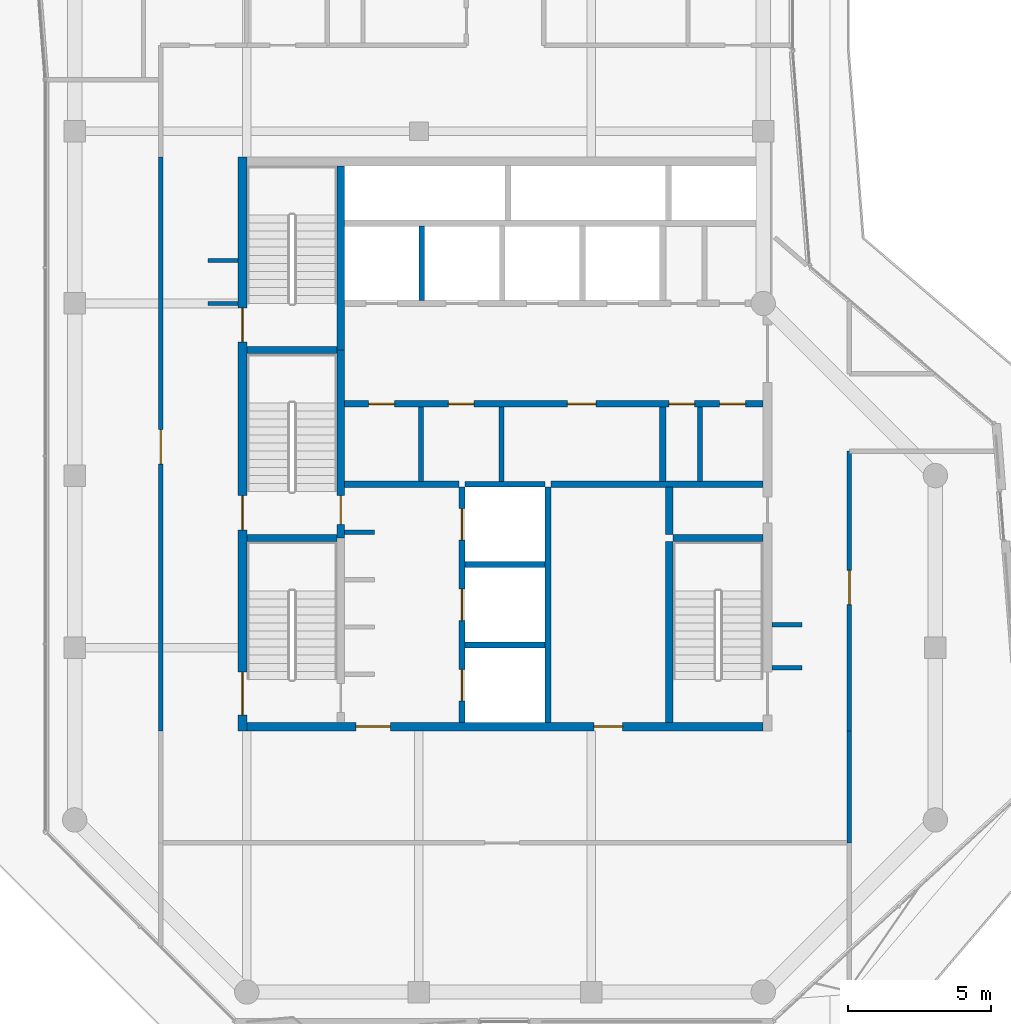
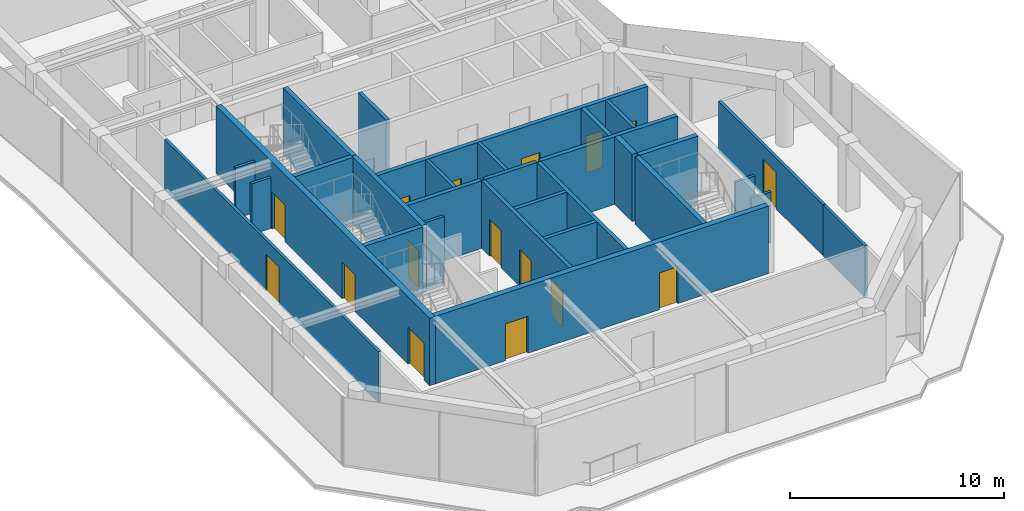
# One storey, part 19 of 23: 30 walls, 16 doors, 16 openings.
"""IFC4 building model written with IfcOpenShell, lengths in metres."""

from ifc_helpers import new_model, si_unit, direction, frame, frame_2d, origin, place, context, subcontext, project, spatial, rectangle, extrude, material, layer, layer_set, type_object, element, fill, save


model = new_model("IFC4")

# Units and contexts
model_context = context("Model", 3, precision=1e-05, world=origin(), true_north=direction((0.0, 1.0)))
body_context = subcontext(model_context, "Body", "Model", "MODEL_VIEW")
ifc_project = project(units=[si_unit("LENGTHUNIT", "METRE"), si_unit("AREAUNIT", "SQUARE_METRE"), si_unit("VOLUMEUNIT", "CUBIC_METRE"), si_unit("PLANEANGLEUNIT", "RADIAN"), si_unit("MASSUNIT", "GRAM", prefix="KILO")], contexts=[model_context])

# Site, building, storey
site_placement = place(None, origin())
site = spatial("IfcSite", under=ifc_project, at=site_placement, CompositionType="ELEMENT")
building_placement = place(site_placement, origin())
building = spatial("IfcBuilding", under=site, at=building_placement, Name="Welwitschia Terrace Campus", CompositionType="ELEMENT")
storey_placement = place(building_placement, frame((0.0, 0.0, 306.199951171875)))
storey = spatial("IfcBuildingStorey", under=building, at=storey_placement, Name="L68", CompositionType="ELEMENT", Elevation=306.199951171875)

# Walls
ifc_material_1 = material(Name="Concrete C32/40", Category="concrete")
ifc_layer_1 = layer(ifc_material_1, 0.175048828125)
ifc_layer_set_1 = layer_set([ifc_layer_1], Name="Concrete C32/40")
wall_type_1 = type_object("IfcWallType", Name="Core partition 175 Concrete C32/40", PredefinedType="PARTITIONING", material=ifc_layer_set_1)
for number, where, z_axis, x_axis, name in (
    (1, (12.074951171875, 13.800048828125, 0.0), (0.0, 0.0, 1.0), (0.0, 1.0, 0.0), "Core partition"),
    (2, (14.875, 13.800048828125, 0.0), (0.0, 0.0, 1.0), (0.0, 1.0, 0.0), "Core partition"),
    (3, (21.7900390625, 13.800048828125, 0.0), (0.0, 0.0, 1.0), (0.0, 1.0, 0.0), "Core partition"),
):
    element("IfcWall", number, at=place(storey_placement, frame(where, z_axis=z_axis, x_axis=x_axis)), inside=storey, type_object=wall_type_1, Name=name, PredefinedType="PARTITIONING", context=body_context, shape_type="SweptSolid", body=[
        extrude(rectangle(XDim=2.599853515625, YDim=0.175048828125, at=frame_2d((1.2998046875, 0.0))), origin(), (0.0, 0.0, 1.0), 3.85009765625),
    ])
ifc_material_2 = material(Name="Concrete C32/40", Category="concrete")
ifc_layer_2 = layer(ifc_material_2, 0.22509765625)
ifc_layer_set_2 = layer_set([ifc_layer_2], Name="Concrete C32/40")
wall_type_2 = type_object("IfcWallType", Name="Core partition 225 Concrete C32/40", PredefinedType="PARTITIONING", material=ifc_layer_set_2)
wall_1_placement = place(storey_placement, frame((9.39990234375, 13.699951171875, 0.0), z_axis=(0.0, 0.0, 1.0), x_axis=(1.0, 0.0, 0.0)))
element("IfcWall", 4, at=wall_1_placement, inside=storey, type_object=wall_type_2, Name="Core partition", PredefinedType="PARTITIONING", context=body_context, shape_type="SweptSolid", body=[
    extrude(rectangle(XDim=4.0, YDim=0.22509765625, at=frame_2d((2.0, 0.0))), origin(), (0.0, 0.0, 1.0), 3.85009765625),
])
wall_2_placement = place(storey_placement, frame((16.60009765625, 13.699951171875, 0.0), z_axis=(0.0, 0.0, 1.0), x_axis=(1.0, 0.0, 0.0)))
element("IfcWall", 5, at=wall_2_placement, inside=storey, type_object=wall_type_2, Name="Core partition", PredefinedType="PARTITIONING", context=body_context, shape_type="SweptSolid", body=[
    extrude(rectangle(XDim=7.39990234375, YDim=0.22509765625, at=frame_2d((3.699951171875, 0.0))), origin(), (0.0, 0.0, 1.0), 3.85009765625),
])

# Wall, openings, doors
wall_3_placement = place(storey_placement, frame((9.39990234375, 16.5, 0.0), z_axis=(0.0, 0.0, 1.0), x_axis=(1.0, 0.0, 0.0)))
wall_3 = element("IfcWall", 6, at=wall_3_placement, inside=storey, type_object=wall_type_2, Name="Core partition", PredefinedType="PARTITIONING", context=body_context, shape_type="SweptSolid", body=[
    extrude(rectangle(XDim=14.60009765625, YDim=0.22509765625, at=frame_2d((7.300048828125, 0.0))), origin(), (0.0, 0.0, 1.0), 3.85009765625),
])
opening_1_placement = place(wall_3_placement, frame((0.85009765625, 0.0, 0.0)))
opening_1 = element("IfcOpeningElement", 7, at=opening_1_placement, cuts=wall_3, Name="Opening DR09", PredefinedType="OPENING", context=body_context, shape_type="SweptSolid", body=[
    extrude(rectangle(XDim=0.89990234375, YDim=2.10009765625, at=frame_2d((0.449951171875, 1.050048828125))), frame((0.0, 0.12255859375, 0.0), z_axis=(0.0, -1.0, 0.0), x_axis=(1.0, 0.0, 0.0)), (0.0, 0.0, 1.0), 0.2451171875),
])
opening_2_placement = place(wall_3_placement, frame((3.625, 0.0, 0.0)))
opening_2 = element("IfcOpeningElement", 8, at=opening_2_placement, cuts=wall_3, Name="Opening DR09", PredefinedType="OPENING", context=body_context, shape_type="SweptSolid", body=[
    extrude(rectangle(XDim=0.89990234375, YDim=2.10009765625, at=frame_2d((0.449951171875, 1.050048828125))), frame((0.0, 0.12255859375, 0.0), z_axis=(0.0, -1.0, 0.0), x_axis=(1.0, 0.0, 0.0)), (0.0, 0.0, 1.0), 0.2451171875),
])
opening_3_placement = place(wall_3_placement, frame((7.77490234375, 0.0, 0.0)))
opening_3 = element("IfcOpeningElement", 9, at=opening_3_placement, cuts=wall_3, Name="Opening DR10", PredefinedType="OPENING", context=body_context, shape_type="SweptSolid", body=[
    extrude(rectangle(XDim=1.0, YDim=2.10009765625, at=frame_2d((0.5, 1.050048828125))), frame((0.0, 0.12255859375, 0.0), z_axis=(0.0, -1.0, 0.0), x_axis=(1.0, 0.0, 0.0)), (0.0, 0.0, 1.0), 0.2451171875),
])
opening_4_placement = place(wall_3_placement, frame((11.3076171875, 0.0, 0.0)))
opening_4 = element("IfcOpeningElement", 10, at=opening_4_placement, cuts=wall_3, Name="Opening DR09", PredefinedType="OPENING", context=body_context, shape_type="SweptSolid", body=[
    extrude(rectangle(XDim=0.89990234375, YDim=2.10009765625, at=frame_2d((0.449951171875, 1.050048828125))), frame((0.0, 0.12255859375, 0.0), z_axis=(0.0, -1.0, 0.0), x_axis=(1.0, 0.0, 0.0)), (0.0, 0.0, 1.0), 0.2451171875),
])
opening_5_placement = place(wall_3_placement, frame((13.08251953125, 0.0, 0.0)))
opening_5 = element("IfcOpeningElement", 11, at=opening_5_placement, cuts=wall_3, Name="Opening DR09", PredefinedType="OPENING", context=body_context, shape_type="SweptSolid", body=[
    extrude(rectangle(XDim=0.89990234375, YDim=2.10009765625, at=frame_2d((0.449951171875, 1.050048828125))), frame((0.0, 0.12255859375, 0.0), z_axis=(0.0, -1.0, 0.0), x_axis=(1.0, 0.0, 0.0)), (0.0, 0.0, 1.0), 0.2451171875),
])
ifc_material_3 = material(Name="Steel S275", Category="steel")
door_type_1 = type_object("IfcDoorType", Name="Core door DR09", OperationType="SINGLE_SWING_LEFT", PredefinedType="DOOR", material=ifc_material_3)
door_1_placement = place(opening_1_placement, origin())
door_1 = element("IfcDoor", 12, at=door_1_placement, inside=storey, type_object=door_type_1, Name="Door BAYL1-D", OperationType="SINGLE_SWING_LEFT", OverallHeight=2.10009765625, OverallWidth=0.89990234375, PredefinedType="DOOR", context=body_context, shape_type="SweptSolid", body=[
    extrude(rectangle(XDim=0.89990234375, YDim=2.10009765625, at=frame_2d((0.449951171875, 1.050048828125))), frame((0.0, 0.02490234375, 0.0), z_axis=(0.0, -1.0, 0.0), x_axis=(1.0, 0.0, 0.0)), (0.0, 0.0, 1.0), 0.050048828125),
])
fill(opening_1, door_1)
door_2_placement = place(opening_2_placement, origin())
door_2 = element("IfcDoor", 13, at=door_2_placement, inside=storey, type_object=door_type_1, Name="Door BAYL2-D", OperationType="SINGLE_SWING_LEFT", OverallHeight=2.10009765625, OverallWidth=0.89990234375, PredefinedType="DOOR", context=body_context, shape_type="SweptSolid", body=[
    extrude(rectangle(XDim=0.89990234375, YDim=2.10009765625, at=frame_2d((0.449951171875, 1.050048828125))), frame((0.0, 0.02490234375, 0.0), z_axis=(0.0, -1.0, 0.0), x_axis=(1.0, 0.0, 0.0)), (0.0, 0.0, 1.0), 0.050048828125),
])
fill(opening_2, door_2)
door_3_placement = place(opening_4_placement, origin())
door_3 = element("IfcDoor", 14, at=door_3_placement, inside=storey, type_object=door_type_1, Name="Door EL1-D", OperationType="SINGLE_SWING_RIGHT", OverallHeight=2.10009765625, OverallWidth=0.89990234375, PredefinedType="DOOR", context=body_context, shape_type="SweptSolid", body=[
    extrude(rectangle(XDim=0.89990234375, YDim=2.10009765625, at=frame_2d((0.449951171875, 1.050048828125))), frame((0.0, 0.02490234375, 0.0), z_axis=(0.0, -1.0, 0.0), x_axis=(1.0, 0.0, 0.0)), (0.0, 0.0, 1.0), 0.050048828125),
])
fill(opening_4, door_3)
door_4_placement = place(opening_5_placement, origin())
door_4 = element("IfcDoor", 15, at=door_4_placement, inside=storey, type_object=door_type_1, Name="Door EL2-D", OperationType="SINGLE_SWING_RIGHT", OverallHeight=2.10009765625, OverallWidth=0.89990234375, PredefinedType="DOOR", context=body_context, shape_type="SweptSolid", body=[
    extrude(rectangle(XDim=0.89990234375, YDim=2.10009765625, at=frame_2d((0.449951171875, 1.050048828125))), frame((0.0, 0.02490234375, 0.0), z_axis=(0.0, -1.0, 0.0), x_axis=(1.0, 0.0, 0.0)), (0.0, 0.0, 1.0), 0.050048828125),
])
fill(opening_5, door_4)
ifc_material_4 = material(Name="Steel S275", Category="steel")
door_type_2 = type_object("IfcDoorType", Name="Core door DR10", OperationType="SINGLE_SWING_LEFT", PredefinedType="DOOR", material=ifc_material_4)
door_5_placement = place(opening_3_placement, origin())
door_5 = element("IfcDoor", 16, at=door_5_placement, inside=storey, type_object=door_type_2, Name="Door BAYL3-D", OperationType="SINGLE_SWING_RIGHT", OverallHeight=2.10009765625, OverallWidth=1.0, PredefinedType="DOOR", context=body_context, shape_type="SweptSolid", body=[
    extrude(rectangle(XDim=1.0, YDim=2.10009765625, at=frame_2d((0.5, 1.050048828125))), frame((0.0, 0.02490234375, 0.0), z_axis=(0.0, -1.0, 0.0), x_axis=(1.0, 0.0, 0.0)), (0.0, 0.0, 1.0), 0.050048828125),
])
fill(opening_3, door_5)

# Walls
wall_4_placement = place(storey_placement, frame((20.5, 13.800048828125, 0.0), z_axis=(0.0, 0.0, 1.0), x_axis=(0.0, 1.0, 0.0)))
element("IfcWall", 17, at=wall_4_placement, inside=storey, type_object=wall_type_2, Name="Core partition", PredefinedType="PARTITIONING", context=body_context, shape_type="SweptSolid", body=[
    extrude(rectangle(XDim=2.599853515625, YDim=0.22509765625, at=frame_2d((1.2998046875, 0.0))), origin(), (0.0, 0.0, 1.0), 3.85009765625),
])
ifc_material_5 = material(Name="Concrete C32/40", Category="concrete")
ifc_layer_3 = layer(ifc_material_5, 0.27490234375)
ifc_layer_set_3 = layer_set([ifc_layer_3], Name="Concrete C32/40")
wall_type_3 = type_object("IfcWallType", Name="Core partition 275 Concrete C32/40", PredefinedType="PARTITIONING", material=ifc_layer_set_3)
wall_5_placement = place(storey_placement, frame((20.72509765625, 11.949951171875, 0.0), z_axis=(0.0, 0.0, 1.0), x_axis=(0.0, 1.0, 0.0)))
element("IfcWall", 18, at=wall_5_placement, inside=storey, type_object=wall_type_3, Name="Core partition", PredefinedType="PARTITIONING", context=body_context, shape_type="SweptSolid", body=[
    extrude(rectangle(XDim=1.650146484375, YDim=0.27490234375, at=frame_2d((0.8251953125, 0.0))), origin(), (0.0, 0.0, 1.0), 3.85009765625),
])
ifc_material_6 = material(Name="Concrete C50/60", Category="concrete")
ifc_layer_4 = layer(ifc_material_6, 0.14990234375)
ifc_layer_set_4 = layer_set([ifc_layer_4], Name="Concrete C50/60")
wall_type_4 = type_object("IfcWallType", Name="Core wall 150 Concrete C50/60", PredefinedType="SHEAR", material=ifc_layer_set_4)
wall_6_placement = place(storey_placement, frame((9.39990234375, 12.02490234375, 0.0), z_axis=(0.0, 0.0, 1.0), x_axis=(1.0, 0.0, 0.0)))
element("IfcWall", 19, at=wall_6_placement, inside=storey, type_object=wall_type_4, Name="Core wall", PredefinedType="SHEAR", context=body_context, shape_type="SweptSolid", body=[
    extrude(rectangle(XDim=1.050048828125, YDim=0.14990234375, at=frame_2d((0.52490234375, 0.0))), origin(), (0.0, 0.0, 1.0), 3.85009765625),
])
ifc_material_7 = material(Name="Concrete C50/60", Category="concrete")
ifc_layer_5 = layer(ifc_material_7, 0.199951171875)
ifc_layer_set_5 = layer_set([ifc_layer_5], Name="Concrete C50/60")
wall_type_5 = type_object("IfcWallType", Name="Core wall 200 Concrete C50/60", PredefinedType="SHEAR", material=ifc_layer_set_5)
for number, where, z_axis, x_axis, name in (
    (20, (13.60009765625, 8.10009765625, 0.0), (0.0, 0.0, 1.0), (1.0, 0.0, 0.0), "Core wall"),
    (21, (13.60009765625, 10.89990234375, 0.0), (0.0, 0.0, 1.0), (1.0, 0.0, 0.0), "Core wall"),
    (22, (13.60009765625, 13.699951171875, 0.0), (0.0, 0.0, 1.0), (1.0, 0.0, 0.0), "Core wall"),
):
    element("IfcWall", number, at=place(storey_placement, frame(where, z_axis=z_axis, x_axis=x_axis)), inside=storey, type_object=wall_type_5, Name=name, PredefinedType="SHEAR", context=body_context, shape_type="SweptSolid", body=[
        extrude(rectangle(XDim=2.7998046875, YDim=0.199951171875, at=frame_2d((1.39990234375, 0.0))), origin(), (0.0, 0.0, 1.0), 3.85009765625),
    ])

# Wall, openings, doors
wall_7_placement = place(storey_placement, frame((13.5, 5.39990234375, 0.0), z_axis=(0.0, 0.0, 1.0), x_axis=(0.0, 1.0, 0.0)))
wall_7 = element("IfcWall", 23, at=wall_7_placement, inside=storey, type_object=wall_type_5, Name="Core wall", PredefinedType="SHEAR", context=body_context, shape_type="SweptSolid", body=[
    extrude(rectangle(XDim=8.2001953125, YDim=0.199951171875, at=frame_2d((4.10009765625, 0.0))), origin(), (0.0, 0.0, 1.0), 3.85009765625),
])
opening_6_placement = place(wall_7_placement, frame((0.75, 0.0, 0.0)))
opening_6 = element("IfcOpeningElement", 24, at=opening_6_placement, cuts=wall_7, Name="Opening LD", PredefinedType="OPENING", context=body_context, shape_type="SweptSolid", body=[
    extrude(rectangle(XDim=1.10009765625, YDim=2.10009765625, at=frame_2d((0.550048828125, 1.050048828125))), frame((0.0, 0.10986328125, 0.0), z_axis=(0.0, -1.0, 0.0), x_axis=(1.0, 0.0, 0.0)), (0.0, 0.0, 1.0), 0.219970703125),
])
opening_7_placement = place(wall_7_placement, frame((3.550048828125, 0.0, 0.0)))
opening_7 = element("IfcOpeningElement", 25, at=opening_7_placement, cuts=wall_7, Name="Opening LD", PredefinedType="OPENING", context=body_context, shape_type="SweptSolid", body=[
    extrude(rectangle(XDim=1.10009765625, YDim=2.10009765625, at=frame_2d((0.550048828125, 1.050048828125))), frame((0.0, 0.10986328125, 0.0), z_axis=(0.0, -1.0, 0.0), x_axis=(1.0, 0.0, 0.0)), (0.0, 0.0, 1.0), 0.219970703125),
])
opening_8_placement = place(wall_7_placement, frame((6.35009765625, 0.0, 0.0)))
opening_8 = element("IfcOpeningElement", 26, at=opening_8_placement, cuts=wall_7, Name="Opening LD", PredefinedType="OPENING", context=body_context, shape_type="SweptSolid", body=[
    extrude(rectangle(XDim=1.10009765625, YDim=2.10009765625, at=frame_2d((0.550048828125, 1.050048828125))), frame((0.0, 0.10986328125, 0.0), z_axis=(0.0, -1.0, 0.0), x_axis=(1.0, 0.0, 0.0)), (0.0, 0.0, 1.0), 0.219970703125),
])
ifc_material_8 = material(Name="Stainless steel 304", Category="steel")
door_type_3 = type_object("IfcDoorType", Name="Lift landing door", OperationType="DOUBLE_DOOR_SLIDING", PredefinedType="DOOR", material=ifc_material_8)
door_6_placement = place(opening_6_placement, origin())
door_6 = element("IfcDoor", 27, at=door_6_placement, inside=storey, type_object=door_type_3, Name="Landing door FF1", OperationType="DOUBLE_DOOR_SLIDING", OverallHeight=2.10009765625, OverallWidth=1.10009765625, PredefinedType="DOOR", context=body_context, shape_type="SweptSolid", body=[
    extrude(rectangle(XDim=1.10009765625, YDim=2.10009765625, at=frame_2d((0.550048828125, 1.050048828125))), frame((0.0, 0.02490234375, 0.0), z_axis=(0.0, -1.0, 0.0), x_axis=(1.0, 0.0, 0.0)), (0.0, 0.0, 1.0), 0.050048828125),
])
fill(opening_6, door_6)
door_7_placement = place(opening_7_placement, origin())
door_7 = element("IfcDoor", 28, at=door_7_placement, inside=storey, type_object=door_type_3, Name="Landing door FF2", OperationType="DOUBLE_DOOR_SLIDING", OverallHeight=2.10009765625, OverallWidth=1.10009765625, PredefinedType="DOOR", context=body_context, shape_type="SweptSolid", body=[
    extrude(rectangle(XDim=1.10009765625, YDim=2.10009765625, at=frame_2d((0.550048828125, 1.050048828125))), frame((0.0, 0.02490234375, 0.0), z_axis=(0.0, -1.0, 0.0), x_axis=(1.0, 0.0, 0.0)), (0.0, 0.0, 1.0), 0.050048828125),
])
fill(opening_7, door_7)
door_8_placement = place(opening_8_placement, origin())
door_8 = element("IfcDoor", 29, at=door_8_placement, inside=storey, type_object=door_type_3, Name="Landing door SV1", OperationType="DOUBLE_DOOR_SLIDING", OverallHeight=2.10009765625, OverallWidth=1.10009765625, PredefinedType="DOOR", context=body_context, shape_type="SweptSolid", body=[
    extrude(rectangle(XDim=1.10009765625, YDim=2.10009765625, at=frame_2d((0.550048828125, 1.050048828125))), frame((0.0, 0.02490234375, 0.0), z_axis=(0.0, -1.0, 0.0), x_axis=(1.0, 0.0, 0.0)), (0.0, 0.0, 1.0), 0.050048828125),
])
fill(opening_8, door_8)

# Walls
wall_8_placement = place(storey_placement, frame((16.5, 5.39990234375, 0.0), z_axis=(0.0, 0.0, 1.0), x_axis=(0.0, 1.0, 0.0)))
element("IfcWall", 30, at=wall_8_placement, inside=storey, type_object=wall_type_5, Name="Core wall", PredefinedType="SHEAR", context=body_context, shape_type="SweptSolid", body=[
    extrude(rectangle(XDim=8.2001953125, YDim=0.199951171875, at=frame_2d((4.10009765625, 0.0))), origin(), (0.0, 0.0, 1.0), 3.85009765625),
])
ifc_material_9 = material(Name="Concrete C50/60", Category="concrete")
ifc_layer_6 = layer(ifc_material_9, 0.25)
ifc_layer_set_6 = layer_set([ifc_layer_6], Name="Concrete C50/60")
wall_type_6 = type_object("IfcWallType", Name="Core wall 250 Concrete C50/60", PredefinedType="SHEAR", material=ifc_layer_set_6)
for number, where, z_axis, x_axis, name in (
    (31, (6.0, 11.824951171875, 0.0), (0.0, 0.0, 1.0), (1.0, 0.0, 0.0), "Core wall"),
    (32, (20.85009765625, 11.824951171875, 0.0), (0.0, 0.0, 1.0), (1.0, 0.0, 0.0), "Core wall"),
    (33, (6.0, 18.375, 0.0), (0.0, 0.0, 1.0), (1.0, 0.0, 0.0), "Core wall"),
):
    element("IfcWall", number, at=place(storey_placement, frame(where, z_axis=z_axis, x_axis=x_axis)), inside=storey, type_object=wall_type_6, Name=name, PredefinedType="SHEAR", context=body_context, shape_type="SweptSolid", body=[
        extrude(rectangle(XDim=3.14990234375, YDim=0.25, at=frame_2d((1.574951171875, 0.0))), origin(), (0.0, 0.0, 1.0), 3.85009765625),
    ])

# Wall, opening, door
wall_9_placement = place(storey_placement, frame((9.27490234375, 18.375, 0.0), z_axis=(0.0, 0.0, 1.0), x_axis=(0.0, -1.0, 0.0)))
wall_9 = element("IfcWall", 34, at=wall_9_placement, inside=storey, type_object=wall_type_6, Name="Core wall", PredefinedType="SHEAR", context=body_context, shape_type="SweptSolid", body=[
    extrude(rectangle(XDim=6.550048828125, YDim=0.25, at=frame_2d((3.27490234375, 0.0))), origin(), (0.0, 0.0, 1.0), 3.85009765625),
])
opening_9_placement = place(wall_9_placement, frame((5.074951171875, 0.0, 0.0)))
opening_9 = element("IfcOpeningElement", 35, at=opening_9_placement, cuts=wall_9, Name="Opening DS10", PredefinedType="OPENING", context=body_context, shape_type="SweptSolid", body=[
    extrude(rectangle(XDim=1.0, YDim=2.10009765625, at=frame_2d((0.5, 1.050048828125))), frame((0.0, 0.135009765625, 0.0), z_axis=(0.0, -1.0, 0.0), x_axis=(1.0, 0.0, 0.0)), (0.0, 0.0, 1.0), 0.27001953125),
])
ifc_material_10 = material(Name="Steel S275", Category="steel")
door_type_4 = type_object("IfcDoorType", Name="Core door DS10", OperationType="SINGLE_SWING_LEFT", PredefinedType="DOOR", material=ifc_material_10)
door_9_placement = place(opening_9_placement, origin())
door_9 = element("IfcDoor", 36, at=door_9_placement, inside=storey, type_object=door_type_4, Name="Door S3-FL", OperationType="SINGLE_SWING_RIGHT", OverallHeight=2.10009765625, OverallWidth=1.0, PredefinedType="DOOR", context=body_context, shape_type="SweptSolid", body=[
    extrude(rectangle(XDim=1.0, YDim=2.10009765625, at=frame_2d((0.5, 1.050048828125))), frame((0.0, 0.02490234375, 0.0), z_axis=(0.0, -1.0, 0.0), x_axis=(1.0, 0.0, 0.0)), (0.0, 0.0, 1.0), 0.050048828125),
])
fill(opening_9, door_9)

# Walls
wall_10_placement = place(storey_placement, frame((9.27490234375, 18.375, 0.0), z_axis=(0.0, 0.0, 1.0), x_axis=(0.0, 1.0, 0.0)))
element("IfcWall", 37, at=wall_10_placement, inside=storey, type_object=wall_type_6, Name="Core wall", PredefinedType="SHEAR", context=body_context, shape_type="SweptSolid", body=[
    extrude(rectangle(XDim=6.425048828125, YDim=0.25, at=frame_2d((3.21240234375, 0.0))), origin(), (0.0, 0.0, 1.0), 3.85009765625),
])
wall_11_placement = place(storey_placement, frame((20.72509765625, 5.39990234375, 0.0), z_axis=(0.0, 0.0, 1.0), x_axis=(0.0, 1.0, 0.0)))
element("IfcWall", 38, at=wall_11_placement, inside=storey, type_object=wall_type_6, Name="Core wall", PredefinedType="SHEAR", context=body_context, shape_type="SweptSolid", body=[
    extrude(rectangle(XDim=6.300048828125, YDim=0.25, at=frame_2d((3.14990234375, 0.0))), origin(), (0.0, 0.0, 1.0), 3.85009765625),
])

# Wall, openings, doors
ifc_material_11 = material(Name="Concrete C50/60", Category="concrete")
ifc_layer_7 = layer(ifc_material_11, 0.300048828125)
ifc_layer_set_7 = layer_set([ifc_layer_7], Name="Concrete C50/60")
wall_type_7 = type_object("IfcWallType", Name="Core wall 300 Concrete C50/60", PredefinedType="SHEAR", material=ifc_layer_set_7)
wall_12_placement = place(storey_placement, frame((5.85009765625, 5.10009765625, 0.0), z_axis=(0.0, 0.0, 1.0), x_axis=(0.0, 1.0, 0.0)))
wall_12 = element("IfcWall", 39, at=wall_12_placement, inside=storey, type_object=wall_type_7, Name="Core outer wall", PredefinedType="SHEAR", context=body_context, shape_type="SweptSolid", body=[
    extrude(rectangle(XDim=20.0, YDim=0.300048828125, at=frame_2d((10.0, 0.0))), origin(), (0.0, 0.0, 1.0), 3.85009765625),
])
opening_10_placement = place(wall_12_placement, frame((0.550048828125, 0.0, 0.0)))
opening_10 = element("IfcOpeningElement", 40, at=opening_10_placement, cuts=wall_12, Name="Opening DS15", PredefinedType="OPENING", context=body_context, shape_type="SweptSolid", body=[
    extrude(rectangle(XDim=1.5, YDim=2.10009765625, at=frame_2d((0.75, 1.050048828125))), frame((0.0, 0.159912109375, 0.0), z_axis=(0.0, -1.0, 0.0), x_axis=(1.0, 0.0, 0.0)), (0.0, 0.0, 1.0), 0.320068359375),
])
opening_11_placement = place(wall_12_placement, frame((7.0, 0.0, 0.0)))
opening_11 = element("IfcOpeningElement", 41, at=opening_11_placement, cuts=wall_12, Name="Opening DS12", PredefinedType="OPENING", context=body_context, shape_type="SweptSolid", body=[
    extrude(rectangle(XDim=1.199951171875, YDim=2.10009765625, at=frame_2d((0.60009765625, 1.050048828125))), frame((0.0, 0.159912109375, 0.0), z_axis=(0.0, -1.0, 0.0), x_axis=(1.0, 0.0, 0.0)), (0.0, 0.0, 1.0), 0.320068359375),
])
opening_12_placement = place(wall_12_placement, frame((13.550048828125, 0.0, 0.0)))
opening_12 = element("IfcOpeningElement", 42, at=opening_12_placement, cuts=wall_12, Name="Opening DS12", PredefinedType="OPENING", context=body_context, shape_type="SweptSolid", body=[
    extrude(rectangle(XDim=1.199951171875, YDim=2.10009765625, at=frame_2d((0.60009765625, 1.050048828125))), frame((0.0, 0.159912109375, 0.0), z_axis=(0.0, -1.0, 0.0), x_axis=(1.0, 0.0, 0.0)), (0.0, 0.0, 1.0), 0.320068359375),
])
ifc_material_12 = material(Name="Steel S275", Category="steel")
door_type_5 = type_object("IfcDoorType", Name="Core door DS12", OperationType="SINGLE_SWING_LEFT", PredefinedType="DOOR", material=ifc_material_12)
door_10_placement = place(opening_11_placement, origin())
door_10 = element("IfcDoor", 43, at=door_10_placement, inside=storey, type_object=door_type_5, Name="Door S3-out", OperationType="SINGLE_SWING_LEFT", OverallHeight=2.10009765625, OverallWidth=1.199951171875, PredefinedType="DOOR", context=body_context, shape_type="SweptSolid", body=[
    extrude(rectangle(XDim=1.199951171875, YDim=2.10009765625, at=frame_2d((0.60009765625, 1.050048828125))), frame((0.0, 0.02490234375, 0.0), z_axis=(0.0, -1.0, 0.0), x_axis=(1.0, 0.0, 0.0)), (0.0, 0.0, 1.0), 0.050048828125),
])
fill(opening_11, door_10)
door_11_placement = place(opening_12_placement, origin())
door_11 = element("IfcDoor", 44, at=door_11_placement, inside=storey, type_object=door_type_5, Name="Door S4-out", OperationType="SINGLE_SWING_RIGHT", OverallHeight=2.10009765625, OverallWidth=1.199951171875, PredefinedType="DOOR", context=body_context, shape_type="SweptSolid", body=[
    extrude(rectangle(XDim=1.199951171875, YDim=2.10009765625, at=frame_2d((0.60009765625, 1.050048828125))), frame((0.0, 0.02490234375, 0.0), z_axis=(0.0, -1.0, 0.0), x_axis=(1.0, 0.0, 0.0)), (0.0, 0.0, 1.0), 0.050048828125),
])
fill(opening_12, door_11)
ifc_material_13 = material(Name="Steel S275", Category="steel")
door_type_6 = type_object("IfcDoorType", Name="Core door DS15", OperationType="DOUBLE_DOOR_SINGLE_SWING", PredefinedType="DOOR", material=ifc_material_13)
door_12_placement = place(opening_10_placement, origin())
door_12 = element("IfcDoor", 45, at=door_12_placement, inside=storey, type_object=door_type_6, Name="Door S1-out", OperationType="DOUBLE_DOOR_SINGLE_SWING", OverallHeight=2.10009765625, OverallWidth=1.5, PredefinedType="DOOR", context=body_context, shape_type="SweptSolid", body=[
    extrude(rectangle(XDim=1.5, YDim=2.10009765625, at=frame_2d((0.75, 1.050048828125))), frame((0.0, 0.02490234375, 0.0), z_axis=(0.0, -1.0, 0.0), x_axis=(1.0, 0.0, 0.0)), (0.0, 0.0, 1.0), 0.050048828125),
])
fill(opening_10, door_12)

wall_13_placement = place(storey_placement, frame((24.0, 5.25, 0.0), z_axis=(0.0, 0.0, 1.0), x_axis=(-1.0, 0.0, 0.0)))
wall_13 = element("IfcWall", 46, at=wall_13_placement, inside=storey, type_object=wall_type_7, Name="Core outer wall", PredefinedType="SHEAR", context=body_context, shape_type="SweptSolid", body=[
    extrude(rectangle(XDim=18.0, YDim=0.300048828125, at=frame_2d((9.0, 0.0))), origin(), (0.0, 0.0, 1.0), 3.85009765625),
])
opening_13_placement = place(wall_13_placement, frame((13.0, 0.0, 0.0)))
opening_13 = element("IfcOpeningElement", 47, at=opening_13_placement, cuts=wall_13, Name="Opening DF12", PredefinedType="OPENING", context=body_context, shape_type="SweptSolid", body=[
    extrude(rectangle(XDim=1.199951171875, YDim=2.10009765625, at=frame_2d((0.60009765625, 1.050048828125))), frame((0.0, 0.159912109375, 0.0), z_axis=(0.0, -1.0, 0.0), x_axis=(1.0, 0.0, 0.0)), (0.0, 0.0, 1.0), 0.320068359375),
])
opening_14_placement = place(wall_13_placement, frame((4.89990234375, 0.0, 0.0)))
opening_14 = element("IfcOpeningElement", 48, at=opening_14_placement, cuts=wall_13, Name="Opening DR10", PredefinedType="OPENING", context=body_context, shape_type="SweptSolid", body=[
    extrude(rectangle(XDim=1.0, YDim=2.10009765625, at=frame_2d((0.5, 1.050048828125))), frame((0.0, 0.159912109375, 0.0), z_axis=(0.0, -1.0, 0.0), x_axis=(1.0, 0.0, 0.0)), (0.0, 0.0, 1.0), 0.320068359375),
])
ifc_material_14 = material(Name="Steel S275", Category="steel")
door_type_7 = type_object("IfcDoorType", Name="Core door DF12", OperationType="SINGLE_SWING_LEFT", PredefinedType="DOOR", material=ifc_material_14)
door_13_placement = place(opening_13_placement, origin())
door_13 = element("IfcDoor", 49, at=door_13_placement, inside=storey, type_object=door_type_7, Name="Door FL-out", OperationType="SINGLE_SWING_RIGHT", OverallHeight=2.10009765625, OverallWidth=1.199951171875, PredefinedType="DOOR", context=body_context, shape_type="SweptSolid", body=[
    extrude(rectangle(XDim=1.199951171875, YDim=2.10009765625, at=frame_2d((0.60009765625, 1.050048828125))), frame((0.0, 0.02490234375, 0.0), z_axis=(0.0, -1.0, 0.0), x_axis=(1.0, 0.0, 0.0)), (0.0, 0.0, 1.0), 0.050048828125),
])
fill(opening_13, door_13)
door_14_placement = place(opening_14_placement, origin())
door_14 = element("IfcDoor", 50, at=door_14_placement, inside=storey, type_object=door_type_2, Name="Door F1-out", OperationType="SINGLE_SWING_LEFT", OverallHeight=2.10009765625, OverallWidth=1.0, PredefinedType="DOOR", context=body_context, shape_type="SweptSolid", body=[
    extrude(rectangle(XDim=1.0, YDim=2.10009765625, at=frame_2d((0.5, 1.050048828125))), frame((0.0, 0.02490234375, 0.0), z_axis=(0.0, -1.0, 0.0), x_axis=(1.0, 0.0, 0.0)), (0.0, 0.0, 1.0), 0.050048828125),
])
fill(opening_14, door_14)

# Wall, opening, door
ifc_material_15 = material(Name="Gypsum board on steel studs", Category="steel")
ifc_layer_8 = layer(ifc_material_15, 0.14990234375)
ifc_layer_set_8 = layer_set([ifc_layer_8], Name="Gypsum board on steel studs")
wall_type_8 = type_object("IfcWallType", Name="Corridor partition 150 EI 30", PredefinedType="PARTITIONING", material=ifc_layer_set_8)
wall_14_placement = place(storey_placement, frame((3.0, 5.10009765625, 0.0), z_axis=(0.0, 0.0, 1.0), x_axis=(0.0, 1.0, 0.0)))
wall_14 = element("IfcWall", 51, at=wall_14_placement, inside=storey, type_object=wall_type_8, Name="Partition", PredefinedType="PARTITIONING", context=body_context, shape_type="SweptSolid", body=[
    extrude(rectangle(XDim=20.0, YDim=0.14990234375, at=frame_2d((10.0, 0.0))), origin(), (0.0, 0.0, 1.0), 2.900146484375),
])
opening_15_placement = place(wall_14_placement, frame((9.300048828125, 0.0, 0.0)))
opening_15 = element("IfcOpeningElement", 52, at=opening_15_placement, cuts=wall_14, Name="Opening DI12", PredefinedType="OPENING", context=body_context, shape_type="SweptSolid", body=[
    extrude(rectangle(XDim=1.199951171875, YDim=2.10009765625, at=frame_2d((0.60009765625, 1.050048828125))), frame((0.0, 0.0849609375, 0.0), z_axis=(0.0, -1.0, 0.0), x_axis=(1.0, 0.0, 0.0)), (0.0, 0.0, 1.0), 0.169921875),
])
ifc_material_16 = material(Name="Timber veneered door", Category="wood")
door_type_8 = type_object("IfcDoorType", Name="Interior door DI12", OperationType="NOTDEFINED", PredefinedType="DOOR", material=ifc_material_16)
door_15_placement = place(opening_15_placement, origin())
door_15 = element("IfcDoor", 53, at=door_15_placement, inside=storey, type_object=door_type_8, Name="Door L68 1199", OperationType="SINGLE_SWING_RIGHT", OverallHeight=2.10009765625, OverallWidth=1.199951171875, PredefinedType="DOOR", context=body_context, shape_type="SweptSolid", body=[
    extrude(rectangle(XDim=1.199951171875, YDim=2.10009765625, at=frame_2d((0.60009765625, 1.050048828125))), frame((0.0, 0.02490234375, 0.0), z_axis=(0.0, -1.0, 0.0), x_axis=(1.0, 0.0, 0.0)), (0.0, 0.0, 1.0), 0.050048828125),
])
fill(opening_15, door_15)

# Walls
for number, where, z_axis, x_axis, name in (
    (54, (4.64990234375, 20.0, 0.0), (0.0, 0.0, 1.0), (1.0, 0.0, 0.0), "Partition"),
    (55, (4.64990234375, 21.5, 0.0), (0.0, 0.0, 1.0), (1.0, 0.0, 0.0), "Partition"),
    (56, (24.300048828125, 7.300048828125, 0.0), (0.0, 0.0, 1.0), (1.0, 0.0, 0.0), "Partition"),
    (57, (24.300048828125, 8.800048828125, 0.0), (0.0, 0.0, 1.0), (1.0, 0.0, 0.0), "Partition"),
):
    element("IfcWall", number, at=place(storey_placement, frame(where, z_axis=z_axis, x_axis=x_axis)), inside=storey, type_object=wall_type_8, Name=name, PredefinedType="PARTITIONING", context=body_context, shape_type="SweptSolid", body=[
        extrude(rectangle(XDim=1.050048828125, YDim=0.14990234375, at=frame_2d((0.52490234375, 0.0))), origin(), (0.0, 0.0, 1.0), 2.900146484375),
    ])
wall_15_placement = place(storey_placement, frame((27.0, 1.199951171875, 0.0), z_axis=(0.0, 0.0, 1.0), x_axis=(0.0, 1.0, 0.0)))
element("IfcWall", 58, at=wall_15_placement, inside=storey, type_object=wall_type_8, Name="Partition", PredefinedType="PARTITIONING", context=body_context, shape_type="SweptSolid", body=[
    extrude(rectangle(XDim=3.900146484375, YDim=0.14990234375, at=frame_2d((1.9501953125, 0.0))), origin(), (0.0, 0.0, 1.0), 2.900146484375),
])

# Wall, opening, door
wall_16_placement = place(storey_placement, frame((27.0, 14.85009765625, 0.0), z_axis=(0.0, 0.0, 1.0), x_axis=(0.0, -1.0, 0.0)))
wall_16 = element("IfcWall", 59, at=wall_16_placement, inside=storey, type_object=wall_type_8, Name="Partition", PredefinedType="PARTITIONING", context=body_context, shape_type="SweptSolid", body=[
    extrude(rectangle(XDim=9.75, YDim=0.14990234375, at=frame_2d((4.875, 0.0))), origin(), (0.0, 0.0, 1.0), 2.900146484375),
])
opening_16_placement = place(wall_16_placement, frame((4.14990234375, 0.0, 0.0)))
opening_16 = element("IfcOpeningElement", 60, at=opening_16_placement, cuts=wall_16, Name="Opening DI12", PredefinedType="OPENING", context=body_context, shape_type="SweptSolid", body=[
    extrude(rectangle(XDim=1.199951171875, YDim=2.10009765625, at=frame_2d((0.60009765625, 1.050048828125))), frame((0.0, 0.0849609375, 0.0), z_axis=(0.0, -1.0, 0.0), x_axis=(1.0, 0.0, 0.0)), (0.0, 0.0, 1.0), 0.169921875),
])
door_16_placement = place(opening_16_placement, origin())
door_16 = element("IfcDoor", 61, at=door_16_placement, inside=storey, type_object=door_type_8, Name="Door L68 1213", OperationType="SINGLE_SWING_RIGHT", OverallHeight=2.10009765625, OverallWidth=1.199951171875, PredefinedType="DOOR", context=body_context, shape_type="SweptSolid", body=[
    extrude(rectangle(XDim=1.199951171875, YDim=2.10009765625, at=frame_2d((0.60009765625, 1.050048828125))), frame((0.0, 0.02490234375, 0.0), z_axis=(0.0, -1.0, 0.0), x_axis=(1.0, 0.0, 0.0)), (0.0, 0.0, 1.0), 0.050048828125),
])
fill(opening_16, door_16)

# Wall
ifc_material_17 = material(Name="Concrete C32/40", Category="concrete")
ifc_layer_9 = layer(ifc_material_17, 0.199951171875)
ifc_layer_set_9 = layer_set([ifc_layer_9], Name="Concrete C32/40")
wall_type_9 = type_object("IfcWallType", Name="Shaft wall 200 Concrete C32/40", PredefinedType="SOLIDWALL", material=ifc_layer_set_9)
wall_17_placement = place(storey_placement, frame((12.10009765625, 20.10009765625, 0.0), z_axis=(0.0, 0.0, 1.0), x_axis=(0.0, 1.0, 0.0)))
element("IfcWall", 62, at=wall_17_placement, inside=storey, type_object=wall_type_9, Name="Shaft wall", PredefinedType="SOLIDWALL", context=body_context, shape_type="SweptSolid", body=[
    extrude(rectangle(XDim=2.599853515625, YDim=0.199951171875, at=frame_2d((1.2998046875, 0.0))), origin(), (0.0, 0.0, 1.0), 3.85009765625),
])

save(model, "model.ifc")
